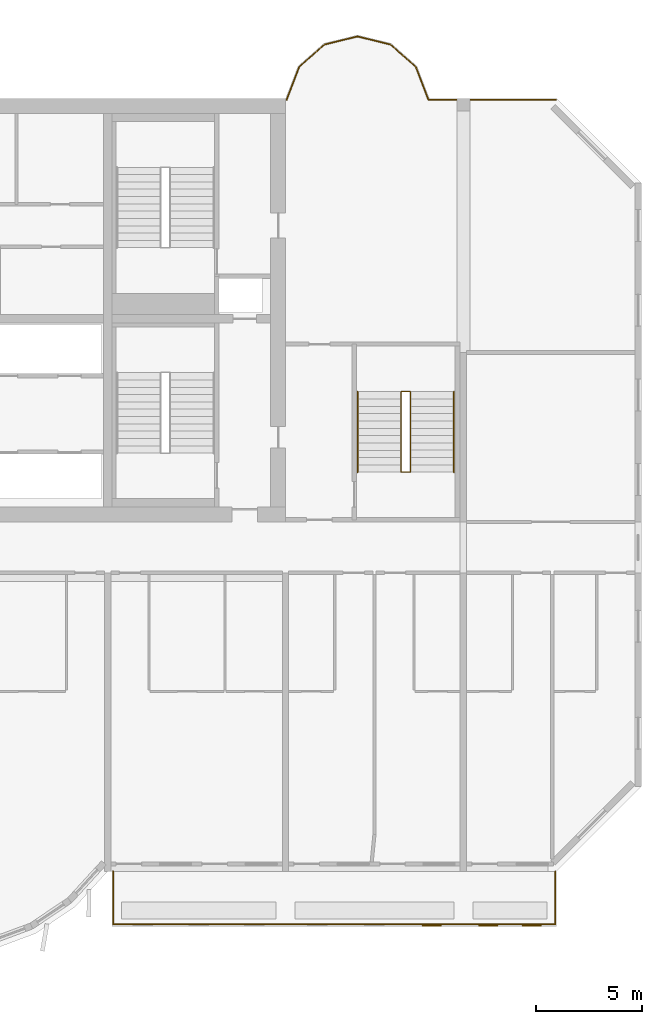
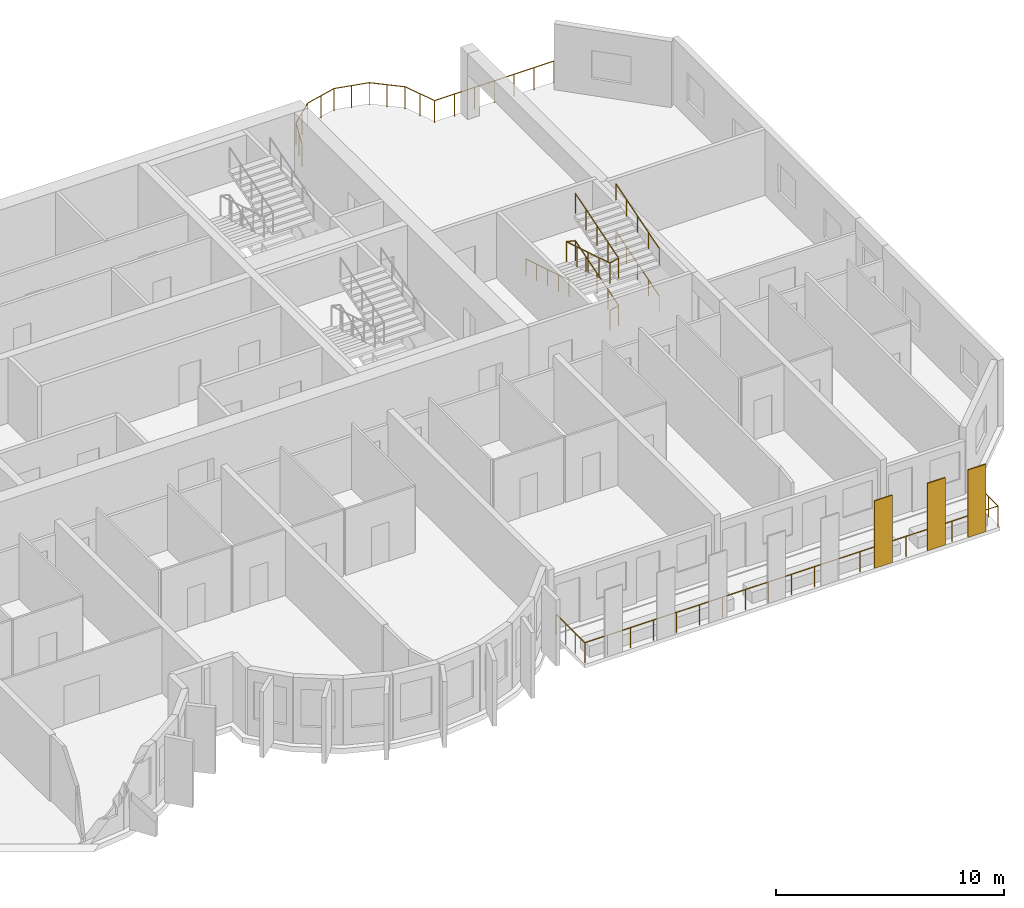
# One storey, part 12 of 13: 6 railings, 3 coverings.
"""IFC4 building model written with IfcOpenShell, lengths in metres."""

import ifcopenshell
import ifcopenshell.guid

model = None  # the IFC model being written
_history = None  # IfcOwnerHistory: only IFC2X3 demands one
_inside = {}  # id of a spatial element -> (the spatial element, [elements in it])
_under = {}  # id of a project, library or spatial element -> (it, [spatial elements below it])
_declared = {}  # id of a project -> (the project, [libraries it declares])
_typed = {}  # id of a type object -> (the type object, [elements of that type])
_made_of = {}  # id of a material, layer set ... -> (it, [elements and type objects made of it])


def new_model(schema):
    """Start an empty IFC model of exactly this schema.

    Asked for "IFC4X3", IfcOpenShell would pick the latest addendum, in which some entities
    have other attributes; the version numbers below select the first issue.
    IFC2X3 requires an IfcOwnerHistory on every rooted entity: one is made here for all.
    """
    global model, _history
    if schema == "IFC4X3":
        model = ifcopenshell.file(schema_version=(4, 3, 0, 0))
    else:
        model = ifcopenshell.file(schema=schema)
    _inside.clear()
    _under.clear()
    _declared.clear()
    _typed.clear()
    _made_of.clear()
    _history = None
    if model.schema == "IFC2X3":
        org = make("IfcOrganization", Name="unknown")
        user = make(
            "IfcPersonAndOrganization",
            ThePerson=make("IfcPerson", FamilyName="unknown"),
            TheOrganization=org,
        )
        app = make(
            "IfcApplication",
            ApplicationDeveloper=org,
            Version="unknown",
            ApplicationFullName="unknown",
            ApplicationIdentifier="unknown",
        )
        _history = make(
            "IfcOwnerHistory",
            OwningUser=user,
            OwningApplication=app,
            ChangeAction="ADDED",
            CreationDate=0,
        )
    return model


def make(cls, **values):
    """One entity of the class cls with the attributes given. An attribute that is None is left unset."""
    return model.create_entity(
        cls, **{name: value for name, value in values.items() if value is not None}
    )


def rooted(cls, **values):
    """An entity with a GlobalId (a new one), such as an element, a storey or a relation."""
    return make(cls, GlobalId=ifcopenshell.guid.new(), OwnerHistory=_history, **values)


def si_unit(unit_type, name, prefix=None):
    """IfcSIUnit, for example si_unit("LENGTHUNIT", "METRE", prefix="MILLI")."""
    return make("IfcSIUnit", UnitType=unit_type, Prefix=prefix, Name=name)


def assignment(units):
    """IfcUnitAssignment: the units of a project."""
    return None if units is None else make("IfcUnitAssignment", Units=units)


def point(xyz):
    """IfcCartesianPoint."""
    return None if xyz is None else make("IfcCartesianPoint", Coordinates=xyz)


def direction(xyz):
    """IfcDirection."""
    return None if xyz is None else make("IfcDirection", DirectionRatios=xyz)


def frame(location, z_axis=None, x_axis=None):
    """IfcAxis2Placement3D, a coordinate frame: its origin and axes. An axis left out is left unset."""
    return make(
        "IfcAxis2Placement3D",
        Location=point(location),
        Axis=direction(z_axis),
        RefDirection=direction(x_axis),
    )


def frame_2d(location, x_axis=None):
    """IfcAxis2Placement2D, a coordinate frame in the plane: its origin and x axis."""
    return make(
        "IfcAxis2Placement2D", Location=point(location), RefDirection=direction(x_axis)
    )


def origin():
    """The frame at (0, 0, 0) with its axes left unset."""
    return frame((0.0, 0.0, 0.0))


def origin_2d():
    """The frame at (0, 0) in the plane with its x axis left unset."""
    return frame_2d((0.0, 0.0))


def place(relative_to, where):
    """IfcLocalPlacement: puts the frame where relative to a parent placement (None: the world)."""
    return make(
        "IfcLocalPlacement", PlacementRelTo=relative_to, RelativePlacement=where
    )


def context(
    kind, dimensions, precision=None, world=None, true_north=None, identifier=None
):
    """IfcGeometricRepresentationContext, for example the 3D "Model" context."""
    return make(
        "IfcGeometricRepresentationContext",
        ContextIdentifier=identifier,
        ContextType=kind,
        CoordinateSpaceDimension=dimensions,
        Precision=precision,
        WorldCoordinateSystem=world,
        TrueNorth=true_north,
    )


def subcontext(parent, identifier, kind, view, scale=None):
    """IfcGeometricRepresentationSubContext, for example "Body" below "Model"."""
    return make(
        "IfcGeometricRepresentationSubContext",
        ContextIdentifier=identifier,
        ContextType=kind,
        ParentContext=parent,
        TargetScale=scale,
        TargetView=view,
    )


def project(units=None, contexts=None):
    """IfcProject with its units and contexts."""
    return rooted(
        "IfcProject",
        Name="project",
        RepresentationContexts=contexts,
        UnitsInContext=assignment(units),
    )


def spatial(cls, under=None, at=None, **own):
    """A site, building, storey or space (cls), placed at a placement, below another one or the project."""
    s = rooted(cls, ObjectPlacement=at, **own)
    if under is not None:
        _under.setdefault(under.id(), (under, []))[1].append(s)
    return s


def profile(cls, at=None, kind="AREA", **sizes):
    """A parametric profile (cls). Its sizes go by their IFC names, for example OverallWidth=200.0."""
    return make(cls, ProfileType=kind, Position=at, **sizes)


def rectangle(**sizes):
    """IfcRectangleProfileDef."""
    return profile("IfcRectangleProfileDef", **sizes)


def circle(**sizes):
    """IfcCircleProfileDef."""
    return profile("IfcCircleProfileDef", **sizes)


def extrude(swept, where, along, depth):
    """IfcExtrudedAreaSolid: the profile swept, set in the frame where, extruded along a direction by depth."""
    return make(
        "IfcExtrudedAreaSolid",
        SweptArea=swept,
        Position=where,
        ExtrudedDirection=direction(along),
        Depth=depth,
    )


def shape(context_of_items, identifier, shape_type, items):
    """IfcShapeRepresentation: the items that make up one representation, for example the "Body"."""
    return make(
        "IfcShapeRepresentation",
        ContextOfItems=context_of_items,
        RepresentationIdentifier=identifier,
        RepresentationType=shape_type,
        Items=items,
    )


def source(mapping_origin, context_of_items, identifier, shape_type, items):
    """IfcRepresentationMap: a shape defined once, which mapped items show again and again."""
    return make(
        "IfcRepresentationMap",
        MappingOrigin=mapping_origin,
        MappedRepresentation=shape(context_of_items, identifier, shape_type, items),
    )


def transform(
    local_origin,
    x_axis=None,
    y_axis=None,
    z_axis=None,
    scale=None,
    scale2=None,
    scale3=None,
    uniform=True,
):
    """IfcCartesianTransformationOperator3D, or its non-uniform kind. x_axis, y_axis, z_axis: its Axis1, 2, 3."""
    if uniform:
        return make(
            "IfcCartesianTransformationOperator3D",
            Axis1=direction(x_axis),
            Axis2=direction(y_axis),
            LocalOrigin=point(local_origin),
            Scale=scale,
            Axis3=direction(z_axis),
        )
    return make(
        "IfcCartesianTransformationOperator3DnonUniform",
        Axis1=direction(x_axis),
        Axis2=direction(y_axis),
        LocalOrigin=point(local_origin),
        Scale=scale,
        Axis3=direction(z_axis),
        Scale2=scale2,
        Scale3=scale3,
    )


def mapped(mapping_source, mapping_target):
    """IfcMappedItem: shows the shape of a source again, moved by a transform."""
    return make(
        "IfcMappedItem", MappingSource=mapping_source, MappingTarget=mapping_target
    )


def material(Name=None, Category=None):
    """IfcMaterial."""
    return make("IfcMaterial", Name=Name, Category=Category)


def layer(
    of_material, thickness, ventilated=None, Name=None, Category=None, Priority=None
):
    """IfcMaterialLayer: one layer of a wall or slab, of a material (None: an air gap)."""
    return make(
        "IfcMaterialLayer",
        Material=of_material,
        LayerThickness=thickness,
        IsVentilated=ventilated,
        Name=Name,
        Category=Category,
        Priority=Priority,
    )


def layer_set(layers, Name=None):
    """IfcMaterialLayerSet."""
    return make("IfcMaterialLayerSet", MaterialLayers=layers, LayerSetName=Name)


def made_of(thing, what):
    """Note that an element or type object is made of a material, layer set ...; save() writes the relation."""
    if what is not None:
        _made_of.setdefault(what.id(), (what, []))[1].append(thing)
    return thing


def type_object(cls, material=None, **own):
    """A type object (cls), such as IfcWallType, which elements share."""
    return made_of(rooted(cls, **own), material)


def element(
    cls,
    number,
    at=None,
    inside=None,
    cuts=None,
    type_object=None,
    material=None,
    context=None,
    identifier="Body",
    shape_type=None,
    held_by="IfcProductDefinitionShape",
    body=None,
    shapes=None,
    **own,
):
    """One element of the class cls, such as IfcWall. Its Tag is "e" and its number.

    at: its placement. inside: the storey or other place that contains it. cuts: it is an
    opening in that element (IfcRelVoidsElement). A single representation is given by context,
    identifier, shape_type and body (its items); several are given by shapes. held_by: the class
    of the entity that holds the representations. save() writes the other relations.
    """
    e = rooted(cls, Tag="e%d" % number, ObjectPlacement=at, **own)
    if body is not None:
        shapes = [shape(context, identifier, shape_type, body)]
    if shapes is not None:
        e.Representation = make(held_by, Representations=shapes)
    if inside is not None:
        _inside.setdefault(inside.id(), (inside, []))[1].append(e)
    if cuts is not None:
        rooted(
            "IfcRelVoidsElement", RelatingBuildingElement=cuts, RelatedOpeningElement=e
        )
    if type_object is not None:
        _typed.setdefault(type_object.id(), (type_object, []))[1].append(e)
    return made_of(e, material)


def aggregate(whole, parts):
    """IfcRelAggregates: a whole, such as a stair, and the parts it consists of."""
    return rooted("IfcRelAggregates", RelatingObject=whole, RelatedObjects=parts)


def save(model, path):
    """Write the relations noted so far, then the file.

    IfcRelAggregates (storeys below a building ...), IfcRelContainedInSpatialStructure (elements
    in a storey), IfcRelDefinesByType, IfcRelAssociatesMaterial and IfcRelDeclares: one each for
    every whole, place, type object, material and project.
    """
    for whole, parts in _under.values():
        aggregate(whole, parts)
    for where, things in _inside.values():
        rooted(
            "IfcRelContainedInSpatialStructure",
            RelatedElements=things,
            RelatingStructure=where,
        )
    for kind, things in _typed.values():
        rooted("IfcRelDefinesByType", RelatedObjects=things, RelatingType=kind)
    for what, things in _made_of.values():
        rooted("IfcRelAssociatesMaterial", RelatedObjects=things, RelatingMaterial=what)
    for by, libraries in _declared.values():
        rooted("IfcRelDeclares", RelatingContext=by, RelatedDefinitions=libraries)
    model.write(path)


model = new_model("IFC4")

# Units and contexts
model_context = context("Model", 3, precision=1e-05, world=origin(), true_north=direction((0.0, 1.0)))
body_context = subcontext(model_context, "Body", "Model", "MODEL_VIEW")
ifc_project = project(units=[si_unit("LENGTHUNIT", "METRE"), si_unit("AREAUNIT", "SQUARE_METRE"), si_unit("VOLUMEUNIT", "CUBIC_METRE"), si_unit("PLANEANGLEUNIT", "RADIAN"), si_unit("MASSUNIT", "GRAM", prefix="KILO")], contexts=[model_context])

# Site, building, storey
site_placement = place(None, origin())
site = spatial("IfcSite", under=ifc_project, at=site_placement, CompositionType="ELEMENT")
building_placement = place(site_placement, origin())
building = spatial("IfcBuilding", under=site, at=building_placement, Name="Vanashikhar Sky Hotel", CompositionType="ELEMENT")
storey_placement = place(building_placement, frame((0.0, 0.0, 185.800048828125)))
storey = spatial("IfcBuildingStorey", under=building, at=storey_placement, Name="L45", CompositionType="ELEMENT", Elevation=185.800048828125)

# Coverings
ifc_material_1 = material(Name="Terracotta", Category="masonry")
ifc_layer = layer(ifc_material_1, 0.06005859375)
ifc_layer_set = layer_set([ifc_layer], Name="Terracotta baguette screen")
covering_type = type_object("IfcCoveringType", Name="Terracotta baguette screen", PredefinedType="CLADDING", material=ifc_layer_set)
shared_shape_1 = source(origin(), body_context, "Body", "SweptSolid", [
    extrude(rectangle(XDim=0.89990234375, YDim=0.06005859375, at=origin_2d()), origin(), (0.0, 0.0, 1.0), 3.60009765625),
])
for number, where, z_axis, x_axis, name in (
    (1, (82.5, 2.929931640625, -0.050048828125), (0.0, 0.0, 1.0), (1.0, 0.0, 0.0), "Terracotta screen"),
    (2, (85.175048828125, 2.929931640625, -0.050048828125), (0.0, 0.0, 1.0), (1.0, 0.0, 0.0), "Terracotta screen"),
    (3, (87.22509765625, 2.929931640625, -0.050048828125), (0.0, 0.0, 1.0), (1.0, 0.0, 0.0), "Terracotta screen"),
):
    element("IfcCovering", number, at=place(storey_placement, frame(where, z_axis=z_axis, x_axis=x_axis)), inside=storey, type_object=covering_type, Name=name, PredefinedType="CLADDING", context=body_context, shape_type="MappedRepresentation", body=[
        mapped(shared_shape_1, transform((0.0, 0.0, 0.0), scale=1.0)),
    ])

# Railings
ifc_material_2 = material(Name="Stainless steel 316", Category="steel")
railing_type_1 = type_object("IfcRailingType", Name="Balcony guard 1100", PredefinedType="GUARDRAIL", material=ifc_material_2)
shared_shape_2 = source(origin(), body_context, "Body", "SweptSolid", [
    extrude(circle(Radius=0.02392578125, at=origin_2d()), frame((0.0, 0.0, 1.076171875), z_axis=(0.0, -1.0, 0.0), x_axis=(1.0, 0.0, 0.0)), (0.0, 0.0, 1.0), 2.5),
    extrude(circle(Radius=0.02392578125, at=origin_2d()), frame((0.0, -2.5, 1.076171875), z_axis=(1.0, 0.0, 0.0), x_axis=(0.0, 1.0, 0.0)), (0.0, 0.0, 1.0), 20.880126953125),
    extrude(circle(Radius=0.02392578125, at=origin_2d()), frame((20.880126953125, -2.5, 1.076171875), z_axis=(0.0, 1.0, 0.0), x_axis=(-1.0, 0.0, 0.0)), (0.0, 0.0, 1.0), 2.5),
    extrude(circle(Radius=0.02099609375, at=origin_2d()), origin(), (0.0, 0.0, 1.0), 1.052001953125),
    extrude(circle(Radius=0.02099609375, at=origin_2d()), frame((0.0, -0.833251953125, 0.0)), (0.0, 0.0, 1.0), 1.052001953125),
    extrude(circle(Radius=0.02099609375, at=origin_2d()), frame((0.0, -1.666748046875, 0.0)), (0.0, 0.0, 1.0), 1.052001953125),
    extrude(circle(Radius=0.02099609375, at=origin_2d()), frame((0.0, -2.5, 0.0)), (0.0, 0.0, 1.0), 1.052001953125),
    extrude(circle(Radius=0.02099609375, at=origin_2d()), frame((1.159912109375, -2.5, 0.0)), (0.0, 0.0, 1.0), 1.052001953125),
    extrude(circle(Radius=0.02099609375, at=origin_2d()), frame((2.320068359375, -2.5, 0.0)), (0.0, 0.0, 1.0), 1.052001953125),
    extrude(circle(Radius=0.02099609375, at=origin_2d()), frame((3.47998046875, -2.5, 0.0)), (0.0, 0.0, 1.0), 1.052001953125),
    extrude(circle(Radius=0.02099609375, at=origin_2d()), frame((4.64013671875, -2.5, 0.0)), (0.0, 0.0, 1.0), 1.052001953125),
    extrude(circle(Radius=0.02099609375, at=origin_2d()), frame((5.800048828125, -2.5, 0.0)), (0.0, 0.0, 1.0), 1.052001953125),
    extrude(circle(Radius=0.02099609375, at=origin_2d()), frame((6.9599609375, -2.5, 0.0)), (0.0, 0.0, 1.0), 1.052001953125),
    extrude(circle(Radius=0.02099609375, at=origin_2d()), frame((8.1201171875, -2.5, 0.0)), (0.0, 0.0, 1.0), 1.052001953125),
    extrude(circle(Radius=0.02099609375, at=origin_2d()), frame((9.280029296875, -2.5, 0.0)), (0.0, 0.0, 1.0), 1.052001953125),
    extrude(circle(Radius=0.02099609375, at=origin_2d()), frame((10.43994140625, -2.5, 0.0)), (0.0, 0.0, 1.0), 1.052001953125),
    extrude(circle(Radius=0.02099609375, at=origin_2d()), frame((11.60009765625, -2.5, 0.0)), (0.0, 0.0, 1.0), 1.052001953125),
    extrude(circle(Radius=0.02099609375, at=origin_2d()), frame((12.760009765625, -2.5, 0.0)), (0.0, 0.0, 1.0), 1.052001953125),
    extrude(circle(Radius=0.02099609375, at=origin_2d()), frame((13.920166015625, -2.5, 0.0)), (0.0, 0.0, 1.0), 1.052001953125),
    extrude(circle(Radius=0.02099609375, at=origin_2d()), frame((15.080078125, -2.5, 0.0)), (0.0, 0.0, 1.0), 1.052001953125),
    extrude(circle(Radius=0.02099609375, at=origin_2d()), frame((16.239990234375, -2.5, 0.0)), (0.0, 0.0, 1.0), 1.052001953125),
    extrude(circle(Radius=0.02099609375, at=origin_2d()), frame((17.400146484375, -2.5, 0.0)), (0.0, 0.0, 1.0), 1.052001953125),
    extrude(circle(Radius=0.02099609375, at=origin_2d()), frame((18.56005859375, -2.5, 0.0)), (0.0, 0.0, 1.0), 1.052001953125),
    extrude(circle(Radius=0.02099609375, at=origin_2d()), frame((19.72021484375, -2.5, 0.0)), (0.0, 0.0, 1.0), 1.052001953125),
    extrude(circle(Radius=0.02099609375, at=origin_2d()), frame((20.880126953125, -2.5, 0.0)), (0.0, 0.0, 1.0), 1.052001953125),
    extrude(circle(Radius=0.02099609375, at=origin_2d()), frame((20.880126953125, -1.666748046875, 0.0)), (0.0, 0.0, 1.0), 1.052001953125),
    extrude(circle(Radius=0.02099609375, at=origin_2d()), frame((20.880126953125, -0.833251953125, 0.0)), (0.0, 0.0, 1.0), 1.052001953125),
    extrude(circle(Radius=0.02099609375, at=origin_2d()), frame((20.880126953125, 0.0, 0.0)), (0.0, 0.0, 1.0), 1.052001953125),
])
railing_1_placement = place(storey_placement, frame((67.4599609375, 5.5, -0.050048828125)))
element("IfcRailing", 4, at=railing_1_placement, inside=storey, type_object=railing_type_1, Name="Balcony guard", PredefinedType="GUARDRAIL", context=body_context, shape_type="MappedRepresentation", body=[
    mapped(shared_shape_2, transform((0.0, 0.0, 0.0), scale=1.0)),
])
railing_type_2 = type_object("IfcRailingType", Name="Refuge terrace guard 1200", PredefinedType="GUARDRAIL", material=ifc_material_2)
shared_shape_3 = source(origin(), body_context, "Body", "SweptSolid", [
    extrude(circle(Radius=0.02392578125, at=origin_2d()), frame((0.0, 0.0, 1.17578125), z_axis=(-1.0, 0.0, 0.0), x_axis=(0.0, -1.0, 0.0)), (0.0, 0.0, 1.0), 6.019287109375),
    extrude(circle(Radius=0.02392578125, at=origin_2d()), frame((-6.019287109375, 0.0, 1.17578125), z_axis=(-0.357682612009, 0.933843214392, 0.0), x_axis=(-0.933843214392, -0.357682612009, 0.0)), (0.0, 0.0, 1.0), 1.666015625),
    extrude(circle(Radius=0.02392578125, at=origin_2d()), frame((-6.615234375, 1.555908203125, 1.17578125), z_axis=(-0.749699987355, 0.661777854692, 0.0), x_axis=(-0.661777854692, -0.749699987355, 0.0)), (0.0, 0.0, 1.0), 1.602294921875),
    extrude(circle(Radius=0.02392578125, at=origin_2d()), frame((-7.81640625, 2.6162109375, 1.17578125), z_axis=(-0.971138901218, 0.238514642196, 0.0), x_axis=(-0.238514642196, -0.971138901218, 0.0)), (0.0, 0.0, 1.0), 1.600830078125),
    extrude(circle(Radius=0.02392578125, at=origin_2d()), frame((-9.37109375, 2.998046875, 1.17578125), z_axis=(-0.971138901218, -0.238514642196, 0.0), x_axis=(0.238514642196, -0.971138901218, 0.0)), (0.0, 0.0, 1.0), 1.600830078125),
    extrude(circle(Radius=0.02392578125, at=origin_2d()), frame((-10.92578125, 2.6162109375, 1.17578125), z_axis=(-0.749699987355, -0.661777854692, 0.0), x_axis=(0.661777854692, -0.749699987355, 0.0)), (0.0, 0.0, 1.0), 1.602294921875),
    extrude(circle(Radius=0.02392578125, at=origin_2d()), frame((-12.126953125, 1.555908203125, 1.17578125), z_axis=(-0.357682612009, -0.933843214392, 0.0), x_axis=(0.933843214392, -0.357682612009, 0.0)), (0.0, 0.0, 1.0), 1.666015625),
    extrude(circle(Radius=0.02099609375, at=origin_2d()), origin(), (0.0, 0.0, 1.0), 1.15185546875),
    extrude(circle(Radius=0.02099609375, at=origin_2d()), frame((-1.003173828125, 0.0, 0.0)), (0.0, 0.0, 1.0), 1.15185546875),
    extrude(circle(Radius=0.02099609375, at=origin_2d()), frame((-2.00634765625, 0.0, 0.0)), (0.0, 0.0, 1.0), 1.15185546875),
    extrude(circle(Radius=0.02099609375, at=origin_2d()), frame((-3.009765625, 0.0, 0.0)), (0.0, 0.0, 1.0), 1.15185546875),
    extrude(circle(Radius=0.02099609375, at=origin_2d()), frame((-4.012939453125, 0.0, 0.0)), (0.0, 0.0, 1.0), 1.15185546875),
    extrude(circle(Radius=0.02099609375, at=origin_2d()), frame((-5.01611328125, 0.0, 0.0)), (0.0, 0.0, 1.0), 1.15185546875),
    extrude(circle(Radius=0.02099609375, at=origin_2d()), frame((-6.019287109375, 0.0, 0.0)), (0.0, 0.0, 1.0), 1.15185546875),
    extrude(circle(Radius=0.02099609375, at=origin_2d()), frame((-6.3173828125, 0.77783203125, 0.0)), (0.0, 0.0, 1.0), 1.15185546875),
    extrude(circle(Radius=0.02099609375, at=origin_2d()), frame((-6.615234375, 1.555908203125, 0.0)), (0.0, 0.0, 1.0), 1.15185546875),
    extrude(circle(Radius=0.02099609375, at=origin_2d()), frame((-7.2158203125, 2.0859375, 0.0)), (0.0, 0.0, 1.0), 1.15185546875),
    extrude(circle(Radius=0.02099609375, at=origin_2d()), frame((-7.81640625, 2.6162109375, 0.0)), (0.0, 0.0, 1.0), 1.15185546875),
    extrude(circle(Radius=0.02099609375, at=origin_2d()), frame((-8.59375, 2.80712890625, 0.0)), (0.0, 0.0, 1.0), 1.15185546875),
    extrude(circle(Radius=0.02099609375, at=origin_2d()), frame((-9.37109375, 2.998046875, 0.0)), (0.0, 0.0, 1.0), 1.15185546875),
    extrude(circle(Radius=0.02099609375, at=origin_2d()), frame((-10.1484375, 2.80712890625, 0.0)), (0.0, 0.0, 1.0), 1.15185546875),
    extrude(circle(Radius=0.02099609375, at=origin_2d()), frame((-10.92578125, 2.6162109375, 0.0)), (0.0, 0.0, 1.0), 1.15185546875),
    extrude(circle(Radius=0.02099609375, at=origin_2d()), frame((-11.5263671875, 2.0859375, 0.0)), (0.0, 0.0, 1.0), 1.15185546875),
    extrude(circle(Radius=0.02099609375, at=origin_2d()), frame((-12.126953125, 1.555908203125, 0.0)), (0.0, 0.0, 1.0), 1.15185546875),
    extrude(circle(Radius=0.02099609375, at=origin_2d()), frame((-12.4248046875, 0.77783203125, 0.0)), (0.0, 0.0, 1.0), 1.15185546875),
    extrude(circle(Radius=0.02099609375, at=origin_2d()), frame((-12.722900390625, 0.0, 0.0)), (0.0, 0.0, 1.0), 1.15185546875),
])
railing_2_placement = place(storey_placement, frame((88.37109375, 41.929931640625, 0.0)))
element("IfcRailing", 5, at=railing_2_placement, inside=storey, type_object=railing_type_2, Name="Refuge terrace guard", PredefinedType="GUARDRAIL", context=body_context, shape_type="MappedRepresentation", body=[
    mapped(shared_shape_3, transform((0.0, 0.0, 0.0), scale=1.0)),
])
ifc_material_3 = material(Name="Steel S355", Category="steel")
railing_type_3 = type_object("IfcRailingType", Name="Stair guard 1100", PredefinedType="GUARDRAIL", material=ifc_material_3)
shared_shape_4 = source(origin(), body_context, "Body", "SweptSolid", [
    extrude(circle(Radius=0.02392578125, at=origin_2d()), frame((0.0, 0.0, 1.076171875), z_axis=(0.973610808694, 0.0, 0.228214796178), x_axis=(0.0, 1.0, 0.0)), (0.0, 0.0, 1.0), 0.462158203125),
    extrude(circle(Radius=0.02392578125, at=origin_2d()), frame((0.449951171875, 0.0, 1.181640625), z_axis=(0.0, 0.956345846891, 0.292237268557), x_axis=(-1.0, 0.0, 0.0)), (0.0, 0.0, 1.0), 3.97314453125),
    extrude(circle(Radius=0.02392578125, at=origin_2d()), frame((0.449951171875, 3.7998046875, 2.3427734375), z_axis=(-0.973610808694, 0.0, 0.228214796178), x_axis=(0.0, -1.0, 0.0)), (0.0, 0.0, 1.0), 0.462158203125),
    extrude(circle(Radius=0.02392578125, at=origin_2d()), frame((0.0, 3.7998046875, 2.4482421875), z_axis=(0.0, -0.956345846891, 0.292237268557), x_axis=(1.0, 0.0, 0.0)), (0.0, 0.0, 1.0), 3.97314453125),
    extrude(circle(Radius=0.02392578125, at=origin_2d()), frame((0.0, 0.0, 3.609375), z_axis=(0.973493315427, 0.0, 0.228715466945), x_axis=(0.0, 1.0, 0.0)), (0.0, 0.0, 1.0), 0.462158203125),
    extrude(circle(Radius=0.02392578125, at=origin_2d()), frame((0.449951171875, 0.0, 3.71484375), z_axis=(0.0, 0.956345846891, 0.292237268557), x_axis=(-1.0, 0.0, 0.0)), (0.0, 0.0, 1.0), 3.97314453125),
    extrude(circle(Radius=0.02099609375, at=origin_2d()), origin(), (0.0, 0.0, 1.0), 1.052001953125),
    extrude(circle(Radius=0.02099609375, at=origin_2d()), frame((0.449951171875, 0.0, 0.10546875)), (0.0, 0.0, 1.0), 1.052001953125),
    extrude(circle(Radius=0.02099609375, at=origin_2d()), frame((0.449951171875, 0.949951171875, 0.395751953125)), (0.0, 0.0, 1.0), 1.052001953125),
    extrude(circle(Radius=0.02099609375, at=origin_2d()), frame((0.449951171875, 1.89990234375, 0.68603515625)), (0.0, 0.0, 1.0), 1.052001953125),
    extrude(circle(Radius=0.02099609375, at=origin_2d()), frame((0.449951171875, 2.849853515625, 0.976318359375)), (0.0, 0.0, 1.0), 1.052001953125),
    extrude(circle(Radius=0.02099609375, at=origin_2d()), frame((0.449951171875, 3.7998046875, 1.2666015625)), (0.0, 0.0, 1.0), 1.052001953125),
    extrude(circle(Radius=0.02099609375, at=origin_2d()), frame((0.0, 3.7998046875, 1.3720703125)), (0.0, 0.0, 1.0), 1.052001953125),
    extrude(circle(Radius=0.02099609375, at=origin_2d()), frame((0.0, 2.849853515625, 1.662353515625)), (0.0, 0.0, 1.0), 1.052001953125),
    extrude(circle(Radius=0.02099609375, at=origin_2d()), frame((0.0, 1.89990234375, 1.95263671875)), (0.0, 0.0, 1.0), 1.052001953125),
    extrude(circle(Radius=0.02099609375, at=origin_2d()), frame((0.0, 0.949951171875, 2.242919921875)), (0.0, 0.0, 1.0), 1.052001953125),
    extrude(circle(Radius=0.02099609375, at=origin_2d()), frame((0.0, 0.0, 2.533203125)), (0.0, 0.0, 1.0), 1.052001953125),
    extrude(circle(Radius=0.02099609375, at=origin_2d()), frame((0.449951171875, 0.0, 2.638916015625)), (0.0, 0.0, 1.0), 1.052001953125),
    extrude(circle(Radius=0.02099609375, at=origin_2d()), frame((0.449951171875, 0.949951171875, 2.92919921875)), (0.0, 0.0, 1.0), 1.052001953125),
    extrude(circle(Radius=0.02099609375, at=origin_2d()), frame((0.449951171875, 1.89990234375, 3.219482421875)), (0.0, 0.0, 1.0), 1.052001953125),
    extrude(circle(Radius=0.02099609375, at=origin_2d()), frame((0.449951171875, 2.849853515625, 3.509765625)), (0.0, 0.0, 1.0), 1.052001953125),
    extrude(circle(Radius=0.02099609375, at=origin_2d()), frame((0.449951171875, 3.7998046875, 3.800048828125)), (0.0, 0.0, 1.0), 1.052001953125),
])
railing_3_placement = place(storey_placement, frame((81.050048828125, 24.35009765625, 0.0)))
element("IfcRailing", 6, at=railing_3_placement, inside=storey, type_object=railing_type_3, Name="Exit stair 4 guard", PredefinedType="GUARDRAIL", context=body_context, shape_type="MappedRepresentation", body=[
    mapped(shared_shape_4, transform((0.0, 0.0, 0.0), scale=1.0)),
])
railing_type_4 = type_object("IfcRailingType", Name="Stair handrail 900", PredefinedType="HANDRAIL", material=ifc_material_3)
shared_shape_5 = source(origin(), body_context, "Body", "SweptSolid", [
    extrude(circle(Radius=0.02392578125, at=origin_2d()), frame((0.0, 0.0, 0.8759765625), z_axis=(0.0, 0.956345846891, 0.292237268557), x_axis=(-1.0, 0.0, 0.0)), (0.0, 0.0, 1.0), 3.97314453125),
    extrude(circle(Radius=0.02099609375, at=origin_2d()), origin(), (0.0, 0.0, 1.0), 0.851806640625),
    extrude(circle(Radius=0.02099609375, at=origin_2d()), frame((0.0, 0.949951171875, 0.290283203125)), (0.0, 0.0, 1.0), 0.851806640625),
    extrude(circle(Radius=0.02099609375, at=origin_2d()), frame((0.0, 1.89990234375, 0.58056640625)), (0.0, 0.0, 1.0), 0.851806640625),
    extrude(circle(Radius=0.02099609375, at=origin_2d()), frame((0.0, 2.849853515625, 0.870849609375)), (0.0, 0.0, 1.0), 0.851806640625),
    extrude(circle(Radius=0.02099609375, at=origin_2d()), frame((0.0, 3.7998046875, 1.1611328125)), (0.0, 0.0, 1.0), 0.851806640625),
])
for number, where, name in (
    (7, (83.550048828125, 24.35009765625, 0.10546875), "Exit stair 4 handrail"),
    (8, (83.550048828125, 24.35009765625, 2.638916015625), "Exit stair 4 handrail"),
):
    element("IfcRailing", number, at=place(storey_placement, frame(where)), inside=storey, type_object=railing_type_4, Name=name, PredefinedType="HANDRAIL", context=body_context, shape_type="MappedRepresentation", body=[
        mapped(shared_shape_5, transform((0.0, 0.0, 0.0), scale=1.0)),
    ])
shared_shape_6 = source(origin(), body_context, "Body", "SweptSolid", [
    extrude(circle(Radius=0.02392578125, at=origin_2d()), frame((0.0, 0.0, 0.8759765625), z_axis=(0.0, -0.956345846891, 0.292237268557), x_axis=(1.0, 0.0, 0.0)), (0.0, 0.0, 1.0), 3.97314453125),
    extrude(circle(Radius=0.02099609375, at=origin_2d()), origin(), (0.0, 0.0, 1.0), 0.851806640625),
    extrude(circle(Radius=0.02099609375, at=origin_2d()), frame((0.0, -0.949951171875, 0.290283203125)), (0.0, 0.0, 1.0), 0.851806640625),
    extrude(circle(Radius=0.02099609375, at=origin_2d()), frame((0.0, -1.89990234375, 0.58056640625)), (0.0, 0.0, 1.0), 0.851806640625),
    extrude(circle(Radius=0.02099609375, at=origin_2d()), frame((0.0, -2.849853515625, 0.870849609375)), (0.0, 0.0, 1.0), 0.851806640625),
    extrude(circle(Radius=0.02099609375, at=origin_2d()), frame((0.0, -3.7998046875, 1.1611328125)), (0.0, 0.0, 1.0), 0.851806640625),
])
railing_4_placement = place(storey_placement, frame((79.0, 28.14990234375, 1.3720703125)))
element("IfcRailing", 9, at=railing_4_placement, inside=storey, type_object=railing_type_4, Name="Exit stair 4 handrail", PredefinedType="HANDRAIL", context=body_context, shape_type="MappedRepresentation", body=[
    mapped(shared_shape_6, transform((0.0, 0.0, 0.0), scale=1.0)),
])

save(model, "model.ifc")
